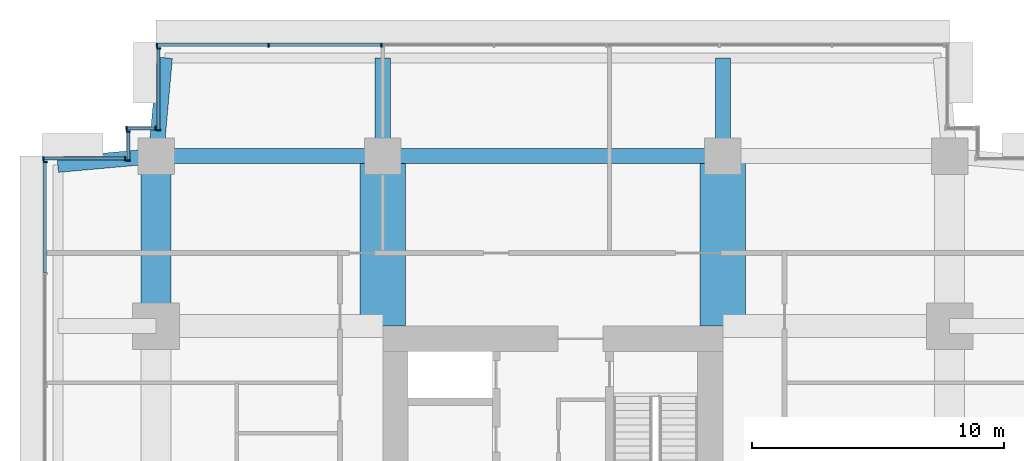
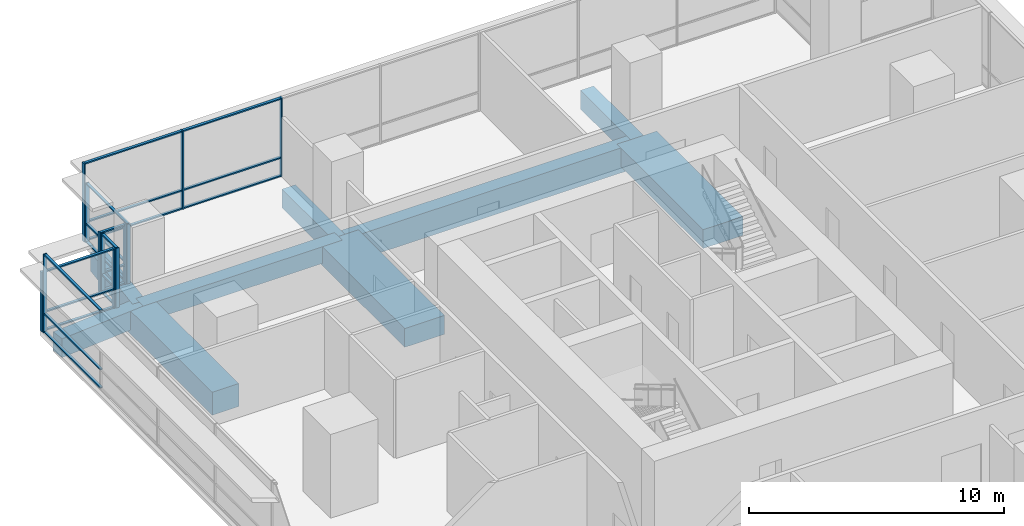
# One storey, part 7 of 14: 33 members, 9 beams, 6 elements without a shape of their own.
"""IFC4 building model written with IfcOpenShell, lengths in metres."""

from ifc_helpers import new_model, si_unit, direction, frame, origin, origin_2d, place, context, subcontext, project, spatial, rectangle, extrude, material, layer, layer_set, material_profile, profile_set, type_object, element, aggregate, save


model = new_model("IFC4")

# Units and contexts
model_context = context("Model", 3, precision=1e-05, world=origin(), true_north=direction((0.0, 1.0)))
body_context = subcontext(model_context, "Body", "Model", "MODEL_VIEW")
ifc_project = project(units=[si_unit("LENGTHUNIT", "METRE"), si_unit("AREAUNIT", "SQUARE_METRE"), si_unit("VOLUMEUNIT", "CUBIC_METRE"), si_unit("PLANEANGLEUNIT", "RADIAN"), si_unit("MASSUNIT", "GRAM", prefix="KILO")], contexts=[model_context])

# Site, building, storey
site_placement = place(None, origin())
site = spatial("IfcSite", under=ifc_project, at=site_placement, CompositionType="ELEMENT")
building_placement = place(site_placement, origin())
building = spatial("IfcBuilding", under=site, at=building_placement, Name="Namib Vertical Campus", CompositionType="ELEMENT")
storey_placement = place(building_placement, frame((0.0, 0.0, 269.0)))
storey = spatial("IfcBuildingStorey", under=building, at=storey_placement, Name="L63", CompositionType="ELEMENT", Elevation=269.0)

# Beams
ifc_material_1 = material(Name="Concrete C40/50", Category="concrete")
ifc_material_profile_1 = material_profile(ifc_material_1, rectangle(XDim=0.60009765625, YDim=0.89990234375, at=origin_2d()))
ifc_profile_set_1 = profile_set([ifc_material_profile_1], Name="Concrete C40/50")
beam_type_1 = type_object("IfcBeamType", Name="Cantilever girder RC 600x900", PredefinedType="BEAM", material=ifc_profile_set_1)
beam_1_placement = place(storey_placement, frame((4.5, 36.0, -0.699951171875), z_axis=(0.089411326146, 0.995994786511, 0.0), x_axis=(-0.995994786511, 0.089411326146, 0.0)))
element("IfcBeam", 1, at=beam_1_placement, inside=storey, type_object=beam_type_1, Name="Beam B3 L63", PredefinedType="BEAM", context=body_context, shape_type="SweptSolid", body=[
    extrude(rectangle(XDim=0.60009765625, YDim=0.89990234375, at=origin_2d()), origin(), (0.0, 0.0, 1.0), 3.91552734375),
])
for number, where, z_axis, x_axis, name in (
    (2, (13.5, 36.0, -0.699951171875), (0.0, 1.0, 0.0), (-1.0, 0.0, 0.0), "Beam B3 L63"),
    (3, (27.0, 36.0, -0.699951171875), (0.0, 1.0, 0.0), (-1.0, 0.0, 0.0), "Beam B3 L63"),
):
    element("IfcBeam", number, at=place(storey_placement, frame(where, z_axis=z_axis, x_axis=x_axis)), inside=storey, type_object=beam_type_1, Name=name, PredefinedType="BEAM", context=body_context, shape_type="SweptSolid", body=[
        extrude(rectangle(XDim=0.60009765625, YDim=0.89990234375, at=origin_2d()), origin(), (0.0, 0.0, 1.0), 3.89990234375),
    ])
beam_2_placement = place(storey_placement, frame((4.5, 36.0, -0.699951171875), z_axis=(-0.995994786511, -0.089411326146, 0.0), x_axis=(0.089411326146, -0.995994786511, 0.0)))
element("IfcBeam", 4, at=beam_2_placement, inside=storey, type_object=beam_type_1, Name="Beam B3 L63", PredefinedType="BEAM", context=body_context, shape_type="SweptSolid", body=[
    extrude(rectangle(XDim=0.60009765625, YDim=0.89990234375, at=origin_2d()), origin(), (0.0, 0.0, 1.0), 3.91552734375),
])

# Curtain wall, members
ifc_material_2 = material(Name="Black aluminium curtain wall", Category="aluminium")
ifc_layer = layer(ifc_material_2, 0.199951171875)
ifc_layer_set = layer_set([ifc_layer], Name="Lounge bench curtain wall CW-LB")
curtain_wall_type = type_object("IfcCurtainWallType", Name="Lounge bench curtain wall CW-LB", PredefinedType="USERDEFINED", material=ifc_layer_set)
curtain_wall_1_placement = place(storey_placement, origin())
curtain_wall_1 = element("IfcCurtainWall", 5, at=curtain_wall_1_placement, inside=storey, type_object=curtain_wall_type, Name="Curtain wall CW-LB L63 F11-1", ObjectType="CURTAIN WALL", PredefinedType="USERDEFINED")
ifc_material_3 = material(Name="Black anodised aluminium", Category="aluminium")
ifc_material_profile_2 = material_profile(ifc_material_3, rectangle(XDim=0.06005859375, YDim=0.159912109375, at=origin_2d()))
ifc_profile_set_2 = profile_set([ifc_material_profile_2], Name="Black anodised aluminium")
member_type_1 = type_object("IfcMemberType", Name="Curtain wall mullion 60x160", PredefinedType="MULLION", material=ifc_profile_set_2)
member_1_placement = place(storey_placement, frame((13.44287109375, 40.39990234375, 0.0), z_axis=(0.0, 0.0, 1.0), x_axis=(-1.0, 0.0, 0.0)))
member_1 = element("IfcMember", 6, at=member_1_placement, type_object=member_type_1, Name="CW-LB mullion 6", PredefinedType="MULLION", context=body_context, shape_type="SweptSolid", body=[
    extrude(rectangle(XDim=0.06005859375, YDim=0.159912109375, at=origin_2d()), origin(), (0.0, 0.0, 1.0), 3.75),
])
member_2_placement = place(storey_placement, frame((8.971435546875, 40.39990234375, 0.0), z_axis=(0.0, 0.0, 1.0), x_axis=(-1.0, 0.0, 0.0)))
member_2 = element("IfcMember", 7, at=member_2_placement, type_object=member_type_1, Name="CW-LB mullion 7", PredefinedType="MULLION", context=body_context, shape_type="SweptSolid", body=[
    extrude(rectangle(XDim=0.06005859375, YDim=0.159912109375, at=origin_2d()), origin(), (0.0, 0.0, 1.0), 3.75),
])
member_3_placement = place(storey_placement, frame((4.530029296875, 40.39990234375, 0.0), z_axis=(0.0, 0.0, 1.0), x_axis=(-1.0, 0.0, 0.0)))
member_3 = element("IfcMember", 8, at=member_3_placement, type_object=member_type_1, Name="CW-LB mullion 8", PredefinedType="MULLION", context=body_context, shape_type="SweptSolid", body=[
    extrude(rectangle(XDim=0.06005859375, YDim=0.159912109375, at=origin_2d()), origin(), (0.0, 0.0, 1.0), 3.75),
])

curtain_wall_2_placement = place(storey_placement, origin())
curtain_wall_2 = element("IfcCurtainWall", 9, at=curtain_wall_2_placement, inside=storey, type_object=curtain_wall_type, Name="Curtain wall CW-LB L63 F12-1", ObjectType="CURTAIN WALL", PredefinedType="USERDEFINED")
member_4_placement = place(storey_placement, frame((4.60009765625, 40.27001953125, 0.0), z_axis=(0.0, 0.0, 1.0), x_axis=(0.0, -1.0, 0.0)))
member_4 = element("IfcMember", 10, at=member_4_placement, type_object=member_type_1, Name="CW-LB mullion 1", PredefinedType="MULLION", context=body_context, shape_type="SweptSolid", body=[
    extrude(rectangle(XDim=0.06005859375, YDim=0.159912109375, at=origin_2d()), origin(), (0.0, 0.0, 1.0), 2.85009765625),
])
member_5_placement = place(storey_placement, frame((4.60009765625, 37.030029296875, 0.0), z_axis=(0.0, 0.0, 1.0), x_axis=(0.0, -1.0, 0.0)))
member_5 = element("IfcMember", 11, at=member_5_placement, type_object=member_type_1, Name="CW-LB mullion 2", PredefinedType="MULLION", context=body_context, shape_type="SweptSolid", body=[
    extrude(rectangle(XDim=0.06005859375, YDim=0.159912109375, at=origin_2d()), origin(), (0.0, 0.0, 1.0), 2.85009765625),
])

curtain_wall_3_placement = place(storey_placement, origin())
curtain_wall_3 = element("IfcCurtainWall", 12, at=curtain_wall_3_placement, inside=storey, type_object=curtain_wall_type, Name="Curtain wall CW-LB L63 F13-1", ObjectType="CURTAIN WALL", PredefinedType="USERDEFINED")
member_6_placement = place(storey_placement, frame((4.469970703125, 37.10009765625, 0.0), z_axis=(0.0, 0.0, 1.0), x_axis=(-1.0, 0.0, 0.0)))
member_6 = element("IfcMember", 13, at=member_6_placement, type_object=member_type_1, Name="CW-LB mullion 1", PredefinedType="MULLION", context=body_context, shape_type="SweptSolid", body=[
    extrude(rectangle(XDim=0.06005859375, YDim=0.159912109375, at=origin_2d()), origin(), (0.0, 0.0, 1.0), 2.85009765625),
])
member_7_placement = place(storey_placement, frame((3.330078125, 37.10009765625, 0.0), z_axis=(0.0, 0.0, 1.0), x_axis=(-1.0, 0.0, 0.0)))
member_7 = element("IfcMember", 14, at=member_7_placement, type_object=member_type_1, Name="CW-LB mullion 2", PredefinedType="MULLION", context=body_context, shape_type="SweptSolid", body=[
    extrude(rectangle(XDim=0.06005859375, YDim=0.159912109375, at=origin_2d()), origin(), (0.0, 0.0, 1.0), 2.85009765625),
])

curtain_wall_4_placement = place(storey_placement, origin())
curtain_wall_4 = element("IfcCurtainWall", 15, at=curtain_wall_4_placement, inside=storey, type_object=curtain_wall_type, Name="Curtain wall CW-LB L63 F14-1", ObjectType="CURTAIN WALL", PredefinedType="USERDEFINED")
member_8_placement = place(storey_placement, frame((3.39990234375, 36.969970703125, 0.0), z_axis=(0.0, 0.0, 1.0), x_axis=(0.0, -1.0, 0.0)))
member_8 = element("IfcMember", 16, at=member_8_placement, type_object=member_type_1, Name="CW-LB mullion 1", PredefinedType="MULLION", context=body_context, shape_type="SweptSolid", body=[
    extrude(rectangle(XDim=0.06005859375, YDim=0.159912109375, at=origin_2d()), origin(), (0.0, 0.0, 1.0), 2.85009765625),
])
member_9_placement = place(storey_placement, frame((3.39990234375, 35.830078125, 0.0), z_axis=(0.0, 0.0, 1.0), x_axis=(0.0, -1.0, 0.0)))
member_9 = element("IfcMember", 17, at=member_9_placement, type_object=member_type_1, Name="CW-LB mullion 2", PredefinedType="MULLION", context=body_context, shape_type="SweptSolid", body=[
    extrude(rectangle(XDim=0.06005859375, YDim=0.159912109375, at=origin_2d()), origin(), (0.0, 0.0, 1.0), 2.85009765625),
])

curtain_wall_5_placement = place(storey_placement, origin())
curtain_wall_5 = element("IfcCurtainWall", 18, at=curtain_wall_5_placement, inside=storey, type_object=curtain_wall_type, Name="Curtain wall CW-LB L63 F15-1", ObjectType="CURTAIN WALL", PredefinedType="USERDEFINED")
member_10_placement = place(storey_placement, frame((3.27001953125, 35.89990234375, 0.0), z_axis=(0.0, 0.0, 1.0), x_axis=(-1.0, 0.0, 0.0)))
member_10 = element("IfcMember", 19, at=member_10_placement, type_object=member_type_1, Name="CW-LB mullion 1", PredefinedType="MULLION", context=body_context, shape_type="SweptSolid", body=[
    extrude(rectangle(XDim=0.06005859375, YDim=0.159912109375, at=origin_2d()), origin(), (0.0, 0.0, 1.0), 2.85009765625),
])
member_11_placement = place(storey_placement, frame((0.030029296875, 35.89990234375, 0.0), z_axis=(0.0, 0.0, 1.0), x_axis=(-1.0, 0.0, 0.0)))
member_11 = element("IfcMember", 20, at=member_11_placement, type_object=member_type_1, Name="CW-LB mullion 2", PredefinedType="MULLION", context=body_context, shape_type="SweptSolid", body=[
    extrude(rectangle(XDim=0.06005859375, YDim=0.159912109375, at=origin_2d()), origin(), (0.0, 0.0, 1.0), 2.85009765625),
])

# Curtain wall, member
curtain_wall_6_placement = place(storey_placement, origin())
curtain_wall_6 = element("IfcCurtainWall", 21, at=curtain_wall_6_placement, inside=storey, type_object=curtain_wall_type, Name="Curtain wall CW-LB L63 F16-1", ObjectType="CURTAIN WALL", PredefinedType="USERDEFINED")
member_12_placement = place(storey_placement, frame((0.10009765625, 35.77001953125, 0.0), z_axis=(0.0, 0.0, 1.0), x_axis=(0.0, -1.0, 0.0)))
member_12 = element("IfcMember", 22, at=member_12_placement, type_object=member_type_1, Name="CW-LB mullion 1", PredefinedType="MULLION", context=body_context, shape_type="SweptSolid", body=[
    extrude(rectangle(XDim=0.06005859375, YDim=0.159912109375, at=origin_2d()), origin(), (0.0, 0.0, 1.0), 3.75),
])

# Member
ifc_material_4 = material(Name="Black anodised aluminium", Category="aluminium")
ifc_material_profile_3 = material_profile(ifc_material_4, rectangle(XDim=0.06005859375, YDim=0.1201171875, at=origin_2d()))
ifc_profile_set_3 = profile_set([ifc_material_profile_3], Name="Black anodised aluminium")
member_type_2 = type_object("IfcMemberType", Name="Curtain wall transom 60x120", PredefinedType="USERDEFINED", material=ifc_profile_set_3)
member_13_placement = place(storey_placement, frame((13.412841796875, 40.39990234375, 0.030029296875), z_axis=(-1.0, 0.0, 0.0), x_axis=(0.0, 0.0, 1.0)))
member_13 = element("IfcMember", 23, at=member_13_placement, type_object=member_type_2, Name="CW-LB transom 6.1", ObjectType="TRANSOM", PredefinedType="USERDEFINED", context=body_context, shape_type="SweptSolid", body=[
    extrude(rectangle(XDim=0.06005859375, YDim=0.1201171875, at=origin_2d()), origin(), (0.0, 0.0, 1.0), 4.411376953125),
])

member_14_placement = place(storey_placement, frame((13.412841796875, 40.39990234375, 0.89990234375), z_axis=(-1.0, 0.0, 0.0), x_axis=(0.0, 0.0, 1.0)))
member_14 = element("IfcMember", 24, at=member_14_placement, type_object=member_type_2, Name="CW-LB transom 6.2", ObjectType="TRANSOM", PredefinedType="USERDEFINED", context=body_context, shape_type="SweptSolid", body=[
    extrude(rectangle(XDim=0.06005859375, YDim=0.1201171875, at=origin_2d()), origin(), (0.0, 0.0, 1.0), 4.411376953125),
])

member_15_placement = place(storey_placement, frame((13.412841796875, 40.39990234375, 3.719970703125), z_axis=(-1.0, 0.0, 0.0), x_axis=(0.0, 0.0, 1.0)))
member_15 = element("IfcMember", 25, at=member_15_placement, type_object=member_type_2, Name="CW-LB transom 6.3", ObjectType="TRANSOM", PredefinedType="USERDEFINED", context=body_context, shape_type="SweptSolid", body=[
    extrude(rectangle(XDim=0.06005859375, YDim=0.1201171875, at=origin_2d()), origin(), (0.0, 0.0, 1.0), 4.411376953125),
])

member_16_placement = place(storey_placement, frame((8.94140625, 40.39990234375, 0.030029296875), z_axis=(-1.0, 0.0, 0.0), x_axis=(0.0, 0.0, 1.0)))
member_16 = element("IfcMember", 26, at=member_16_placement, type_object=member_type_2, Name="CW-LB transom 7.1", ObjectType="TRANSOM", PredefinedType="USERDEFINED", context=body_context, shape_type="SweptSolid", body=[
    extrude(rectangle(XDim=0.06005859375, YDim=0.1201171875, at=origin_2d()), origin(), (0.0, 0.0, 1.0), 4.38134765625),
])

member_17_placement = place(storey_placement, frame((8.94140625, 40.39990234375, 0.89990234375), z_axis=(-1.0, 0.0, 0.0), x_axis=(0.0, 0.0, 1.0)))
member_17 = element("IfcMember", 27, at=member_17_placement, type_object=member_type_2, Name="CW-LB transom 7.2", ObjectType="TRANSOM", PredefinedType="USERDEFINED", context=body_context, shape_type="SweptSolid", body=[
    extrude(rectangle(XDim=0.06005859375, YDim=0.1201171875, at=origin_2d()), origin(), (0.0, 0.0, 1.0), 4.38134765625),
])

member_18_placement = place(storey_placement, frame((8.94140625, 40.39990234375, 3.719970703125), z_axis=(-1.0, 0.0, 0.0), x_axis=(0.0, 0.0, 1.0)))
member_18 = element("IfcMember", 28, at=member_18_placement, type_object=member_type_2, Name="CW-LB transom 7.3", ObjectType="TRANSOM", PredefinedType="USERDEFINED", context=body_context, shape_type="SweptSolid", body=[
    extrude(rectangle(XDim=0.06005859375, YDim=0.1201171875, at=origin_2d()), origin(), (0.0, 0.0, 1.0), 4.38134765625),
])

aggregate(curtain_wall_1, [member_1, member_2, member_3, member_13, member_14, member_15, member_16, member_17, member_18])

member_19_placement = place(storey_placement, frame((4.60009765625, 40.239990234375, 0.030029296875), z_axis=(0.0, -1.0, 0.0), x_axis=(0.0, 0.0, 1.0)))
member_19 = element("IfcMember", 29, at=member_19_placement, type_object=member_type_2, Name="CW-LB transom 1.1", ObjectType="TRANSOM", PredefinedType="USERDEFINED", context=body_context, shape_type="SweptSolid", body=[
    extrude(rectangle(XDim=0.06005859375, YDim=0.1201171875, at=origin_2d()), origin(), (0.0, 0.0, 1.0), 3.179931640625),
])

member_20_placement = place(storey_placement, frame((4.60009765625, 40.239990234375, 0.89990234375), z_axis=(0.0, -1.0, 0.0), x_axis=(0.0, 0.0, 1.0)))
member_20 = element("IfcMember", 30, at=member_20_placement, type_object=member_type_2, Name="CW-LB transom 1.2", ObjectType="TRANSOM", PredefinedType="USERDEFINED", context=body_context, shape_type="SweptSolid", body=[
    extrude(rectangle(XDim=0.06005859375, YDim=0.1201171875, at=origin_2d()), origin(), (0.0, 0.0, 1.0), 3.179931640625),
])

member_21_placement = place(storey_placement, frame((4.60009765625, 40.239990234375, 2.820068359375), z_axis=(0.0, -1.0, 0.0), x_axis=(0.0, 0.0, 1.0)))
member_21 = element("IfcMember", 31, at=member_21_placement, type_object=member_type_2, Name="CW-LB transom 1.3", ObjectType="TRANSOM", PredefinedType="USERDEFINED", context=body_context, shape_type="SweptSolid", body=[
    extrude(rectangle(XDim=0.06005859375, YDim=0.1201171875, at=origin_2d()), origin(), (0.0, 0.0, 1.0), 3.179931640625),
])

aggregate(curtain_wall_2, [member_4, member_5, member_19, member_20, member_21])

member_22_placement = place(storey_placement, frame((4.43994140625, 37.10009765625, 0.030029296875), z_axis=(-1.0, 0.0, 0.0), x_axis=(0.0, 0.0, 1.0)))
member_22 = element("IfcMember", 32, at=member_22_placement, type_object=member_type_2, Name="CW-LB transom 1.1", ObjectType="TRANSOM", PredefinedType="USERDEFINED", context=body_context, shape_type="SweptSolid", body=[
    extrude(rectangle(XDim=0.06005859375, YDim=0.1201171875, at=origin_2d()), origin(), (0.0, 0.0, 1.0), 1.079833984375),
])

member_23_placement = place(storey_placement, frame((4.43994140625, 37.10009765625, 0.89990234375), z_axis=(-1.0, 0.0, 0.0), x_axis=(0.0, 0.0, 1.0)))
member_23 = element("IfcMember", 33, at=member_23_placement, type_object=member_type_2, Name="CW-LB transom 1.2", ObjectType="TRANSOM", PredefinedType="USERDEFINED", context=body_context, shape_type="SweptSolid", body=[
    extrude(rectangle(XDim=0.06005859375, YDim=0.1201171875, at=origin_2d()), origin(), (0.0, 0.0, 1.0), 1.079833984375),
])

member_24_placement = place(storey_placement, frame((4.43994140625, 37.10009765625, 2.820068359375), z_axis=(-1.0, 0.0, 0.0), x_axis=(0.0, 0.0, 1.0)))
member_24 = element("IfcMember", 34, at=member_24_placement, type_object=member_type_2, Name="CW-LB transom 1.3", ObjectType="TRANSOM", PredefinedType="USERDEFINED", context=body_context, shape_type="SweptSolid", body=[
    extrude(rectangle(XDim=0.06005859375, YDim=0.1201171875, at=origin_2d()), origin(), (0.0, 0.0, 1.0), 1.079833984375),
])

aggregate(curtain_wall_3, [member_6, member_7, member_22, member_23, member_24])

member_25_placement = place(storey_placement, frame((3.39990234375, 36.93994140625, 0.030029296875), z_axis=(0.0, -1.0, 0.0), x_axis=(0.0, 0.0, 1.0)))
member_25 = element("IfcMember", 35, at=member_25_placement, type_object=member_type_2, Name="CW-LB transom 1.1", ObjectType="TRANSOM", PredefinedType="USERDEFINED", context=body_context, shape_type="SweptSolid", body=[
    extrude(rectangle(XDim=0.06005859375, YDim=0.1201171875, at=origin_2d()), origin(), (0.0, 0.0, 1.0), 1.079833984375),
])

member_26_placement = place(storey_placement, frame((3.39990234375, 36.93994140625, 0.89990234375), z_axis=(0.0, -1.0, 0.0), x_axis=(0.0, 0.0, 1.0)))
member_26 = element("IfcMember", 36, at=member_26_placement, type_object=member_type_2, Name="CW-LB transom 1.2", ObjectType="TRANSOM", PredefinedType="USERDEFINED", context=body_context, shape_type="SweptSolid", body=[
    extrude(rectangle(XDim=0.06005859375, YDim=0.1201171875, at=origin_2d()), origin(), (0.0, 0.0, 1.0), 1.079833984375),
])

member_27_placement = place(storey_placement, frame((3.39990234375, 36.93994140625, 2.820068359375), z_axis=(0.0, -1.0, 0.0), x_axis=(0.0, 0.0, 1.0)))
member_27 = element("IfcMember", 37, at=member_27_placement, type_object=member_type_2, Name="CW-LB transom 1.3", ObjectType="TRANSOM", PredefinedType="USERDEFINED", context=body_context, shape_type="SweptSolid", body=[
    extrude(rectangle(XDim=0.06005859375, YDim=0.1201171875, at=origin_2d()), origin(), (0.0, 0.0, 1.0), 1.079833984375),
])

aggregate(curtain_wall_4, [member_8, member_9, member_25, member_26, member_27])

member_28_placement = place(storey_placement, frame((3.239990234375, 35.89990234375, 0.030029296875), z_axis=(-1.0, 0.0, 0.0), x_axis=(0.0, 0.0, 1.0)))
member_28 = element("IfcMember", 38, at=member_28_placement, type_object=member_type_2, Name="CW-LB transom 1.1", ObjectType="TRANSOM", PredefinedType="USERDEFINED", context=body_context, shape_type="SweptSolid", body=[
    extrude(rectangle(XDim=0.06005859375, YDim=0.1201171875, at=origin_2d()), origin(), (0.0, 0.0, 1.0), 3.179931640625),
])

member_29_placement = place(storey_placement, frame((3.239990234375, 35.89990234375, 0.89990234375), z_axis=(-1.0, 0.0, 0.0), x_axis=(0.0, 0.0, 1.0)))
member_29 = element("IfcMember", 39, at=member_29_placement, type_object=member_type_2, Name="CW-LB transom 1.2", ObjectType="TRANSOM", PredefinedType="USERDEFINED", context=body_context, shape_type="SweptSolid", body=[
    extrude(rectangle(XDim=0.06005859375, YDim=0.1201171875, at=origin_2d()), origin(), (0.0, 0.0, 1.0), 3.179931640625),
])

member_30_placement = place(storey_placement, frame((3.239990234375, 35.89990234375, 2.820068359375), z_axis=(-1.0, 0.0, 0.0), x_axis=(0.0, 0.0, 1.0)))
member_30 = element("IfcMember", 40, at=member_30_placement, type_object=member_type_2, Name="CW-LB transom 1.3", ObjectType="TRANSOM", PredefinedType="USERDEFINED", context=body_context, shape_type="SweptSolid", body=[
    extrude(rectangle(XDim=0.06005859375, YDim=0.1201171875, at=origin_2d()), origin(), (0.0, 0.0, 1.0), 3.179931640625),
])

aggregate(curtain_wall_5, [member_10, member_11, member_28, member_29, member_30])

member_31_placement = place(storey_placement, frame((0.10009765625, 35.739990234375, 0.030029296875), z_axis=(0.0, -1.0, 0.0), x_axis=(0.0, 0.0, 1.0)))
member_31 = element("IfcMember", 41, at=member_31_placement, type_object=member_type_2, Name="CW-LB transom 1.1", ObjectType="TRANSOM", PredefinedType="USERDEFINED", context=body_context, shape_type="SweptSolid", body=[
    extrude(rectangle(XDim=0.06005859375, YDim=0.1201171875, at=origin_2d()), origin(), (0.0, 0.0, 1.0), 4.38134765625),
])

member_32_placement = place(storey_placement, frame((0.10009765625, 35.739990234375, 0.89990234375), z_axis=(0.0, -1.0, 0.0), x_axis=(0.0, 0.0, 1.0)))
member_32 = element("IfcMember", 42, at=member_32_placement, type_object=member_type_2, Name="CW-LB transom 1.2", ObjectType="TRANSOM", PredefinedType="USERDEFINED", context=body_context, shape_type="SweptSolid", body=[
    extrude(rectangle(XDim=0.06005859375, YDim=0.1201171875, at=origin_2d()), origin(), (0.0, 0.0, 1.0), 4.38134765625),
])

member_33_placement = place(storey_placement, frame((0.10009765625, 35.739990234375, 3.719970703125), z_axis=(0.0, -1.0, 0.0), x_axis=(0.0, 0.0, 1.0)))
member_33 = element("IfcMember", 43, at=member_33_placement, type_object=member_type_2, Name="CW-LB transom 1.3", ObjectType="TRANSOM", PredefinedType="USERDEFINED", context=body_context, shape_type="SweptSolid", body=[
    extrude(rectangle(XDim=0.06005859375, YDim=0.1201171875, at=origin_2d()), origin(), (0.0, 0.0, 1.0), 4.38134765625),
])

aggregate(curtain_wall_6, [member_12, member_31, member_32, member_33])

# Beams
ifc_material_5 = material(Name="Concrete C40/50", Category="concrete")
ifc_material_profile_4 = material_profile(ifc_material_5, rectangle(XDim=1.199951171875, YDim=1.10009765625, at=origin_2d()))
ifc_profile_set_4 = profile_set([ifc_material_profile_4], Name="Concrete C40/50")
beam_type_2 = type_object("IfcBeamType", Name="Face ring beam RC 1200x1100", PredefinedType="BEAM", material=ifc_profile_set_4)
beam_3_placement = place(storey_placement, frame((4.5, 29.25, -0.800048828125), z_axis=(0.0, 1.0, 0.0), x_axis=(-1.0, 0.0, 0.0)))
element("IfcBeam", 44, at=beam_3_placement, inside=storey, type_object=beam_type_2, Name="Beam B11 L63", PredefinedType="BEAM", context=body_context, shape_type="SweptSolid", body=[
    extrude(rectangle(XDim=1.199951171875, YDim=1.10009765625, at=origin_2d()), origin(), (0.0, 0.0, 1.0), 6.75),
])
ifc_material_6 = material(Name="Concrete C40/50", Category="concrete")
ifc_material_profile_5 = material_profile(ifc_material_6, rectangle(XDim=0.60009765625, YDim=1.199951171875, at=origin_2d()))
ifc_profile_set_5 = profile_set([ifc_material_profile_5], Name="Concrete C40/50")
beam_type_3 = type_object("IfcBeamType", Name="Long-span ring beam RC 600x1200", PredefinedType="BEAM", material=ifc_profile_set_5)
beam_4_placement = place(storey_placement, frame((13.5, 36.0, -0.85009765625), z_axis=(1.0, 0.0, 0.0), x_axis=(0.0, 1.0, 0.0)))
element("IfcBeam", 45, at=beam_4_placement, inside=storey, type_object=beam_type_3, Name="Beam B9 L63", PredefinedType="BEAM", context=body_context, shape_type="SweptSolid", body=[
    extrude(rectangle(XDim=0.60009765625, YDim=1.199951171875, at=origin_2d()), origin(), (0.0, 0.0, 1.0), 13.5),
])
ifc_material_7 = material(Name="Concrete C40/50", Category="concrete")
ifc_material_profile_6 = material_profile(ifc_material_7, rectangle(XDim=1.800048828125, YDim=0.89990234375, at=origin_2d()))
ifc_profile_set_6 = profile_set([ifc_material_profile_6], Name="Concrete C40/50")
beam_type_4 = type_object("IfcBeamType", Name="Outrigger line girder RC 1800x900", PredefinedType="BEAM", material=ifc_profile_set_6)
for number, where, z_axis, x_axis, name in (
    (46, (13.5, 36.0, -0.699951171875), (0.0, -1.0, 0.0), (1.0, 0.0, 0.0), "Beam B12 L63"),
    (47, (27.0, 36.0, -0.699951171875), (0.0, -1.0, 0.0), (1.0, 0.0, 0.0), "Beam B12 L63"),
):
    element("IfcBeam", number, at=place(storey_placement, frame(where, z_axis=z_axis, x_axis=x_axis)), inside=storey, type_object=beam_type_4, Name=name, PredefinedType="BEAM", context=body_context, shape_type="SweptSolid", body=[
        extrude(rectangle(XDim=1.800048828125, YDim=0.89990234375, at=origin_2d()), origin(), (0.0, 0.0, 1.0), 6.75),
    ])
ifc_material_8 = material(Name="Concrete C40/50", Category="concrete")
ifc_material_profile_7 = material_profile(ifc_material_8, rectangle(XDim=0.60009765625, YDim=0.800048828125, at=origin_2d()))
ifc_profile_set_7 = profile_set([ifc_material_profile_7], Name="Concrete C40/50")
beam_type_5 = type_object("IfcBeamType", Name="Ring beam RC 600x800", PredefinedType="BEAM", material=ifc_profile_set_7)
beam_5_placement = place(storey_placement, frame((4.5, 36.0, -0.64990234375), z_axis=(1.0, 0.0, 0.0), x_axis=(0.0, 1.0, 0.0)))
element("IfcBeam", 48, at=beam_5_placement, inside=storey, type_object=beam_type_5, Name="Beam B1 L63", PredefinedType="BEAM", context=body_context, shape_type="SweptSolid", body=[
    extrude(rectangle(XDim=0.60009765625, YDim=0.800048828125, at=origin_2d()), origin(), (0.0, 0.0, 1.0), 9.0),
])

save(model, "model.ifc")
